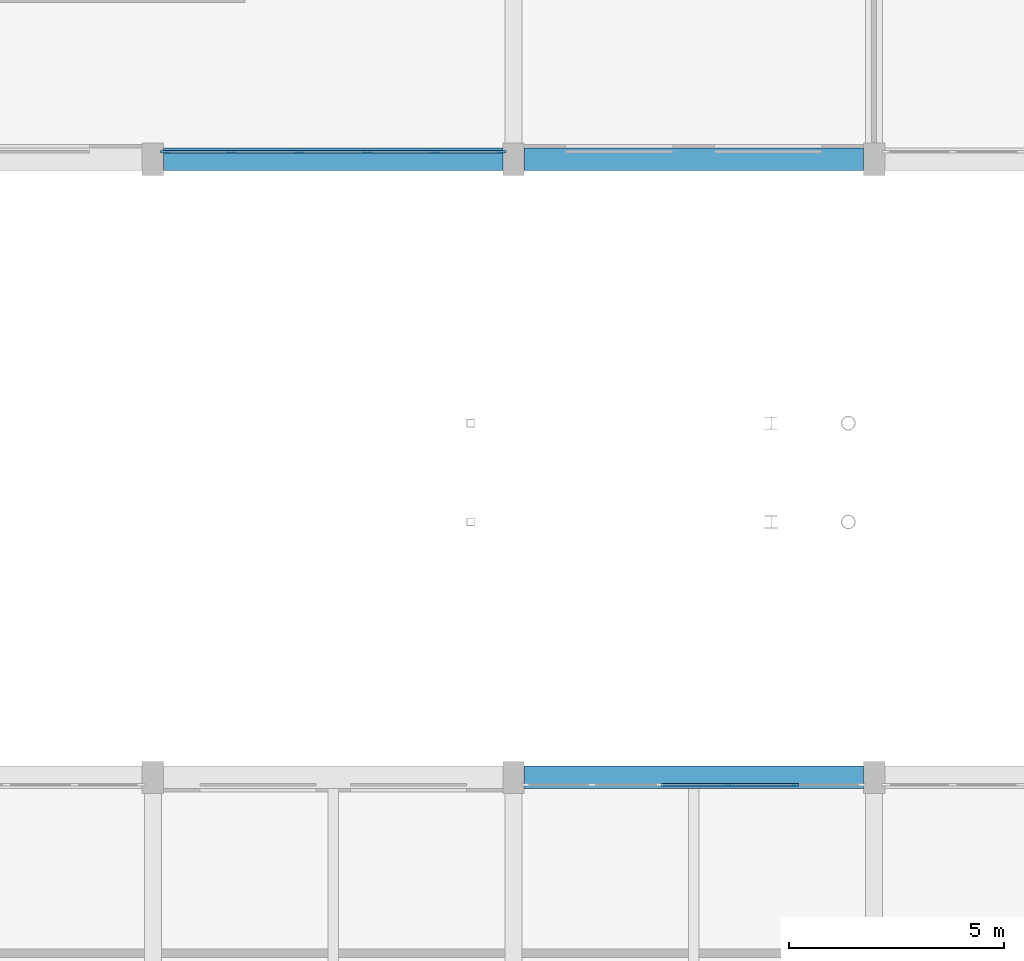
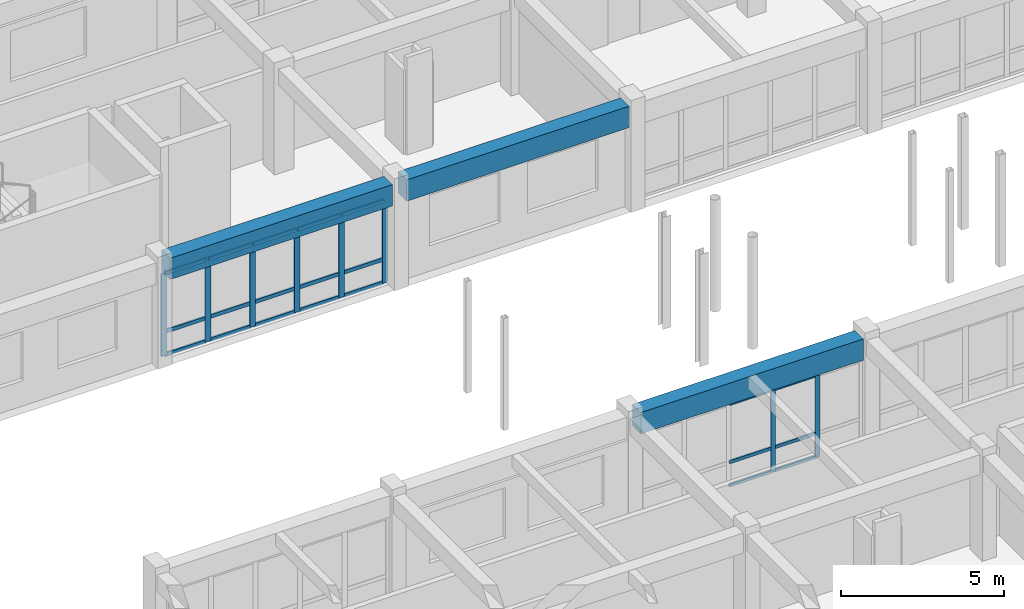
# One storey, part 54 of 147: 29 members, 3 beams, 2 elements without a shape of their own.
"""IFC4 building model written with IfcOpenShell, lengths in metres."""

from ifc_helpers import new_model, si_unit, direction, frame, origin, origin_2d, place, context, subcontext, project, spatial, rectangle, extrude, material, material_profile, profile_set, type_object, element, aggregate, save


model = new_model("IFC4")

# Units and contexts
model_context = context("Model", 3, precision=1e-05, world=origin(), true_north=direction((0.0, 1.0)))
body_context = subcontext(model_context, "Body", "Model", "MODEL_VIEW")
ifc_project = project(units=[si_unit("LENGTHUNIT", "METRE"), si_unit("AREAUNIT", "SQUARE_METRE"), si_unit("VOLUMEUNIT", "CUBIC_METRE"), si_unit("PLANEANGLEUNIT", "RADIAN"), si_unit("MASSUNIT", "GRAM", prefix="KILO")], contexts=[model_context])

# Site, building, storey
site_placement = place(None, origin())
site = spatial("IfcSite", under=ifc_project, at=site_placement, CompositionType="ELEMENT")
building_placement = place(site_placement, origin())
building = spatial("IfcBuilding", under=site, at=building_placement, Name="Malvenik Polytechnic", CompositionType="ELEMENT")
storey_placement = place(building_placement, frame((0.0, 0.0, 5.10009765625)))
storey = spatial("IfcBuildingStorey", under=building, at=storey_placement, Name="L01", CompositionType="ELEMENT", Elevation=5.10009765625)

# Curtain wall, members
ifc_material_1 = material(Name="Anodised aluminium 6060-T6", Category="aluminium")
curtain_wall_type = type_object("IfcCurtainWallType", Name="ARC-CW-CW-02", PredefinedType="NOTDEFINED", material=ifc_material_1)
curtain_wall_1_placement = place(storey_placement, origin())
curtain_wall_1 = element("IfcCurtainWall", 1, at=curtain_wall_1_placement, inside=storey, type_object=curtain_wall_type, Name="Unitised Curtain Wall CW-02 L01 #125", PredefinedType="NOTDEFINED")
ifc_material_2 = material(Name="Anodised aluminium", Category="aluminium")
ifc_material_profile_1 = material_profile(ifc_material_2, rectangle(XDim=0.06005859375, YDim=0.159912109375, at=origin_2d()), Name="ALU MULLION 60x160")
ifc_profile_set_1 = profile_set([ifc_material_profile_1], Name="Anodised aluminium")
member_type_1 = type_object("IfcMemberType", Name="ARC-CWM-160", PredefinedType="MULLION", material=ifc_profile_set_1)
member_1_placement = place(storey_placement, frame((30.1904296875, 64.6298828125, 0.0), z_axis=(0.0, 0.0, 1.0), x_axis=(0.0, 1.0, 0.0)))
member_1 = element("IfcMember", 2, at=member_1_placement, type_object=member_type_1, Name="CW-02 mullion 4", PredefinedType="MULLION", context=body_context, shape_type="SweptSolid", body=[
    extrude(rectangle(XDim=0.06005859375, YDim=0.159912109375, at=origin_2d()), origin(), (0.0, 0.0, 1.0), 3.10986328125),
])
member_2_placement = place(storey_placement, frame((31.771240234375, 64.6298828125, 0.0), z_axis=(0.0, 0.0, 1.0), x_axis=(0.0, 1.0, 0.0)))
member_2 = element("IfcMember", 3, at=member_2_placement, type_object=member_type_1, Name="CW-02 mullion 5", PredefinedType="MULLION", context=body_context, shape_type="SweptSolid", body=[
    extrude(rectangle(XDim=0.06005859375, YDim=0.159912109375, at=origin_2d()), origin(), (0.0, 0.0, 1.0), 3.10986328125),
])

curtain_wall_2_placement = place(storey_placement, origin())
curtain_wall_2 = element("IfcCurtainWall", 4, at=curtain_wall_2_placement, inside=storey, type_object=curtain_wall_type, Name="Unitised Curtain Wall CW-02 L01 #30", PredefinedType="NOTDEFINED")
ifc_material_profile_2 = material_profile(ifc_material_2, rectangle(XDim=0.06005859375, YDim=0.199951171875, at=origin_2d()), Name="ALU MULLION 60x200")
ifc_profile_set_2 = profile_set([ifc_material_profile_2], Name="Anodised aluminium")
member_type_2 = type_object("IfcMemberType", Name="ARC-CWM-200", PredefinedType="MULLION", material=ifc_profile_set_2)
member_3_placement = place(storey_placement, frame((24.922119140625, 79.3701171875, 0.0), z_axis=(0.0, 0.0, 1.0), x_axis=(0.0, -1.0, 0.0)))
member_3 = element("IfcMember", 5, at=member_3_placement, type_object=member_type_2, Name="CW-02 mullion 1", PredefinedType="MULLION", context=body_context, shape_type="SweptSolid", body=[
    extrude(rectangle(XDim=0.06005859375, YDim=0.199951171875, at=origin_2d()), origin(), (0.0, 0.0, 1.0), 3.10986328125),
])
member_4_placement = place(storey_placement, frame((23.37109375, 79.3701171875, 0.0), z_axis=(0.0, 0.0, 1.0), x_axis=(0.0, -1.0, 0.0)))
member_4 = element("IfcMember", 6, at=member_4_placement, type_object=member_type_2, Name="CW-02 mullion 2", PredefinedType="MULLION", context=body_context, shape_type="SweptSolid", body=[
    extrude(rectangle(XDim=0.06005859375, YDim=0.199951171875, at=origin_2d()), origin(), (0.0, 0.0, 1.0), 3.10986328125),
])
member_5_placement = place(storey_placement, frame((21.790283203125, 79.3701171875, 0.0), z_axis=(0.0, 0.0, 1.0), x_axis=(0.0, -1.0, 0.0)))
member_5 = element("IfcMember", 7, at=member_5_placement, type_object=member_type_2, Name="CW-02 mullion 3", PredefinedType="MULLION", context=body_context, shape_type="SweptSolid", body=[
    extrude(rectangle(XDim=0.06005859375, YDim=0.199951171875, at=origin_2d()), origin(), (0.0, 0.0, 1.0), 3.10986328125),
])
member_6_placement = place(storey_placement, frame((20.209716796875, 79.3701171875, 0.0), z_axis=(0.0, 0.0, 1.0), x_axis=(0.0, -1.0, 0.0)))
member_6 = element("IfcMember", 8, at=member_6_placement, type_object=member_type_2, Name="CW-02 mullion 4", PredefinedType="MULLION", context=body_context, shape_type="SweptSolid", body=[
    extrude(rectangle(XDim=0.06005859375, YDim=0.199951171875, at=origin_2d()), origin(), (0.0, 0.0, 1.0), 3.10986328125),
])
member_7_placement = place(storey_placement, frame((18.62890625, 79.3701171875, 0.0), z_axis=(0.0, 0.0, 1.0), x_axis=(0.0, -1.0, 0.0)))
member_7 = element("IfcMember", 9, at=member_7_placement, type_object=member_type_2, Name="CW-02 mullion 5", PredefinedType="MULLION", context=body_context, shape_type="SweptSolid", body=[
    extrude(rectangle(XDim=0.06005859375, YDim=0.199951171875, at=origin_2d()), origin(), (0.0, 0.0, 1.0), 3.10986328125),
])
member_8_placement = place(storey_placement, frame((17.077880859375, 79.3701171875, 0.0), z_axis=(0.0, 0.0, 1.0), x_axis=(0.0, -1.0, 0.0)))
member_8 = element("IfcMember", 10, at=member_8_placement, type_object=member_type_2, Name="CW-02 mullion 6", PredefinedType="MULLION", context=body_context, shape_type="SweptSolid", body=[
    extrude(rectangle(XDim=0.06005859375, YDim=0.199951171875, at=origin_2d()), origin(), (0.0, 0.0, 1.0), 3.10986328125),
])

# Member
ifc_material_profile_3 = material_profile(ifc_material_2, rectangle(XDim=0.06005859375, YDim=0.1201171875, at=origin_2d()), Name="ALU TRANSOM 60x120")
ifc_profile_set_3 = profile_set([ifc_material_profile_3], Name="Anodised aluminium")
member_type_3 = type_object("IfcMemberType", Name="ARC-CWT-120", PredefinedType="USERDEFINED", material=ifc_profile_set_3)
member_9_placement = place(storey_placement, frame((28.6396484375, 64.6298828125, 0.02978515625), z_axis=(1.0, 0.0, 0.0), x_axis=(0.0, 1.0, 0.0)))
member_9 = element("IfcMember", 11, at=member_9_placement, type_object=member_type_3, Name="CW-02 transom 3.1", ObjectType="TRANSOM", PredefinedType="USERDEFINED", context=body_context, shape_type="SweptSolid", body=[
    extrude(rectangle(XDim=0.06005859375, YDim=0.1201171875, at=origin_2d()), origin(), (0.0, 0.0, 1.0), 1.520751953125),
])

member_10_placement = place(storey_placement, frame((28.6396484375, 64.6298828125, 0.89990234375), z_axis=(1.0, 0.0, 0.0), x_axis=(0.0, 1.0, 0.0)))
member_10 = element("IfcMember", 12, at=member_10_placement, type_object=member_type_3, Name="CW-02 transom 3.2", ObjectType="TRANSOM", PredefinedType="USERDEFINED", context=body_context, shape_type="SweptSolid", body=[
    extrude(rectangle(XDim=0.06005859375, YDim=0.1201171875, at=origin_2d()), origin(), (0.0, 0.0, 1.0), 1.520751953125),
])

member_11_placement = place(storey_placement, frame((28.6396484375, 64.6298828125, 3.079833984375), z_axis=(1.0, 0.0, 0.0), x_axis=(0.0, 1.0, 0.0)))
member_11 = element("IfcMember", 13, at=member_11_placement, type_object=member_type_3, Name="CW-02 transom 3.3", ObjectType="TRANSOM", PredefinedType="USERDEFINED", context=body_context, shape_type="SweptSolid", body=[
    extrude(rectangle(XDim=0.06005859375, YDim=0.1201171875, at=origin_2d()), origin(), (0.0, 0.0, 1.0), 1.520751953125),
])

member_12_placement = place(storey_placement, frame((30.220458984375, 64.6298828125, 0.02978515625), z_axis=(1.0, 0.0, 0.0), x_axis=(0.0, 1.0, 0.0)))
member_12 = element("IfcMember", 14, at=member_12_placement, type_object=member_type_3, Name="CW-02 transom 4.1", ObjectType="TRANSOM", PredefinedType="USERDEFINED", context=body_context, shape_type="SweptSolid", body=[
    extrude(rectangle(XDim=0.06005859375, YDim=0.1201171875, at=origin_2d()), origin(), (0.0, 0.0, 1.0), 1.520751953125),
])

member_13_placement = place(storey_placement, frame((30.220458984375, 64.6298828125, 0.89990234375), z_axis=(1.0, 0.0, 0.0), x_axis=(0.0, 1.0, 0.0)))
member_13 = element("IfcMember", 15, at=member_13_placement, type_object=member_type_3, Name="CW-02 transom 4.2", ObjectType="TRANSOM", PredefinedType="USERDEFINED", context=body_context, shape_type="SweptSolid", body=[
    extrude(rectangle(XDim=0.06005859375, YDim=0.1201171875, at=origin_2d()), origin(), (0.0, 0.0, 1.0), 1.520751953125),
])

member_14_placement = place(storey_placement, frame((30.220458984375, 64.6298828125, 3.079833984375), z_axis=(1.0, 0.0, 0.0), x_axis=(0.0, 1.0, 0.0)))
member_14 = element("IfcMember", 16, at=member_14_placement, type_object=member_type_3, Name="CW-02 transom 4.3", ObjectType="TRANSOM", PredefinedType="USERDEFINED", context=body_context, shape_type="SweptSolid", body=[
    extrude(rectangle(XDim=0.06005859375, YDim=0.1201171875, at=origin_2d()), origin(), (0.0, 0.0, 1.0), 1.520751953125),
])

aggregate(curtain_wall_1, [member_1, member_2, member_9, member_10, member_11, member_12, member_13, member_14])

ifc_material_profile_4 = material_profile(ifc_material_2, rectangle(XDim=0.06005859375, YDim=0.139892578125, at=origin_2d()), Name="ALU TRANSOM 60x140")
ifc_profile_set_4 = profile_set([ifc_material_profile_4], Name="Anodised aluminium")
member_type_4 = type_object("IfcMemberType", Name="ARC-CWT-140", PredefinedType="USERDEFINED", material=ifc_profile_set_4)
member_15_placement = place(storey_placement, frame((24.89208984375, 79.3701171875, 0.02978515625), z_axis=(-1.0, 0.0, 0.0), x_axis=(0.0, -1.0, 0.0)))
member_15 = element("IfcMember", 17, at=member_15_placement, type_object=member_type_4, Name="CW-02 transom 1.1", ObjectType="TRANSOM", PredefinedType="USERDEFINED", context=body_context, shape_type="SweptSolid", body=[
    extrude(rectangle(XDim=0.06005859375, YDim=0.139892578125, at=origin_2d()), origin(), (0.0, 0.0, 1.0), 1.490966796875),
])

member_16_placement = place(storey_placement, frame((24.89208984375, 79.3701171875, 0.89990234375), z_axis=(-1.0, 0.0, 0.0), x_axis=(0.0, -1.0, 0.0)))
member_16 = element("IfcMember", 18, at=member_16_placement, type_object=member_type_4, Name="CW-02 transom 1.2", ObjectType="TRANSOM", PredefinedType="USERDEFINED", context=body_context, shape_type="SweptSolid", body=[
    extrude(rectangle(XDim=0.06005859375, YDim=0.139892578125, at=origin_2d()), origin(), (0.0, 0.0, 1.0), 1.490966796875),
])

member_17_placement = place(storey_placement, frame((24.89208984375, 79.3701171875, 3.079833984375), z_axis=(-1.0, 0.0, 0.0), x_axis=(0.0, -1.0, 0.0)))
member_17 = element("IfcMember", 19, at=member_17_placement, type_object=member_type_4, Name="CW-02 transom 1.3", ObjectType="TRANSOM", PredefinedType="USERDEFINED", context=body_context, shape_type="SweptSolid", body=[
    extrude(rectangle(XDim=0.06005859375, YDim=0.139892578125, at=origin_2d()), origin(), (0.0, 0.0, 1.0), 1.490966796875),
])

member_18_placement = place(storey_placement, frame((23.34130859375, 79.3701171875, 0.02978515625), z_axis=(-1.0, 0.0, 0.0), x_axis=(0.0, -1.0, 0.0)))
member_18 = element("IfcMember", 20, at=member_18_placement, type_object=member_type_4, Name="CW-02 transom 2.1", ObjectType="TRANSOM", PredefinedType="USERDEFINED", context=body_context, shape_type="SweptSolid", body=[
    extrude(rectangle(XDim=0.06005859375, YDim=0.139892578125, at=origin_2d()), origin(), (0.0, 0.0, 1.0), 1.52099609375),
])

member_19_placement = place(storey_placement, frame((23.34130859375, 79.3701171875, 0.89990234375), z_axis=(-1.0, 0.0, 0.0), x_axis=(0.0, -1.0, 0.0)))
member_19 = element("IfcMember", 21, at=member_19_placement, type_object=member_type_4, Name="CW-02 transom 2.2", ObjectType="TRANSOM", PredefinedType="USERDEFINED", context=body_context, shape_type="SweptSolid", body=[
    extrude(rectangle(XDim=0.06005859375, YDim=0.139892578125, at=origin_2d()), origin(), (0.0, 0.0, 1.0), 1.52099609375),
])

member_20_placement = place(storey_placement, frame((23.34130859375, 79.3701171875, 3.079833984375), z_axis=(-1.0, 0.0, 0.0), x_axis=(0.0, -1.0, 0.0)))
member_20 = element("IfcMember", 22, at=member_20_placement, type_object=member_type_4, Name="CW-02 transom 2.3", ObjectType="TRANSOM", PredefinedType="USERDEFINED", context=body_context, shape_type="SweptSolid", body=[
    extrude(rectangle(XDim=0.06005859375, YDim=0.139892578125, at=origin_2d()), origin(), (0.0, 0.0, 1.0), 1.52099609375),
])

member_21_placement = place(storey_placement, frame((21.760498046875, 79.3701171875, 0.02978515625), z_axis=(-1.0, 0.0, 0.0), x_axis=(0.0, -1.0, 0.0)))
member_21 = element("IfcMember", 23, at=member_21_placement, type_object=member_type_4, Name="CW-02 transom 3.1", ObjectType="TRANSOM", PredefinedType="USERDEFINED", context=body_context, shape_type="SweptSolid", body=[
    extrude(rectangle(XDim=0.06005859375, YDim=0.139892578125, at=origin_2d()), origin(), (0.0, 0.0, 1.0), 1.52099609375),
])

member_22_placement = place(storey_placement, frame((21.760498046875, 79.3701171875, 0.89990234375), z_axis=(-1.0, 0.0, 0.0), x_axis=(0.0, -1.0, 0.0)))
member_22 = element("IfcMember", 24, at=member_22_placement, type_object=member_type_4, Name="CW-02 transom 3.2", ObjectType="TRANSOM", PredefinedType="USERDEFINED", context=body_context, shape_type="SweptSolid", body=[
    extrude(rectangle(XDim=0.06005859375, YDim=0.139892578125, at=origin_2d()), origin(), (0.0, 0.0, 1.0), 1.52099609375),
])

member_23_placement = place(storey_placement, frame((21.760498046875, 79.3701171875, 3.079833984375), z_axis=(-1.0, 0.0, 0.0), x_axis=(0.0, -1.0, 0.0)))
member_23 = element("IfcMember", 25, at=member_23_placement, type_object=member_type_4, Name="CW-02 transom 3.3", ObjectType="TRANSOM", PredefinedType="USERDEFINED", context=body_context, shape_type="SweptSolid", body=[
    extrude(rectangle(XDim=0.06005859375, YDim=0.139892578125, at=origin_2d()), origin(), (0.0, 0.0, 1.0), 1.52099609375),
])

member_24_placement = place(storey_placement, frame((20.1796875, 79.3701171875, 0.02978515625), z_axis=(-1.0, 0.0, 0.0), x_axis=(0.0, -1.0, 0.0)))
member_24 = element("IfcMember", 26, at=member_24_placement, type_object=member_type_4, Name="CW-02 transom 4.1", ObjectType="TRANSOM", PredefinedType="USERDEFINED", context=body_context, shape_type="SweptSolid", body=[
    extrude(rectangle(XDim=0.06005859375, YDim=0.139892578125, at=origin_2d()), origin(), (0.0, 0.0, 1.0), 1.52099609375),
])

member_25_placement = place(storey_placement, frame((20.1796875, 79.3701171875, 0.89990234375), z_axis=(-1.0, 0.0, 0.0), x_axis=(0.0, -1.0, 0.0)))
member_25 = element("IfcMember", 27, at=member_25_placement, type_object=member_type_4, Name="CW-02 transom 4.2", ObjectType="TRANSOM", PredefinedType="USERDEFINED", context=body_context, shape_type="SweptSolid", body=[
    extrude(rectangle(XDim=0.06005859375, YDim=0.139892578125, at=origin_2d()), origin(), (0.0, 0.0, 1.0), 1.52099609375),
])

member_26_placement = place(storey_placement, frame((20.1796875, 79.3701171875, 3.079833984375), z_axis=(-1.0, 0.0, 0.0), x_axis=(0.0, -1.0, 0.0)))
member_26 = element("IfcMember", 28, at=member_26_placement, type_object=member_type_4, Name="CW-02 transom 4.3", ObjectType="TRANSOM", PredefinedType="USERDEFINED", context=body_context, shape_type="SweptSolid", body=[
    extrude(rectangle(XDim=0.06005859375, YDim=0.139892578125, at=origin_2d()), origin(), (0.0, 0.0, 1.0), 1.52099609375),
])

member_27_placement = place(storey_placement, frame((18.598876953125, 79.3701171875, 0.02978515625), z_axis=(-1.0, 0.0, 0.0), x_axis=(0.0, -1.0, 0.0)))
member_27 = element("IfcMember", 29, at=member_27_placement, type_object=member_type_4, Name="CW-02 transom 5.1", ObjectType="TRANSOM", PredefinedType="USERDEFINED", context=body_context, shape_type="SweptSolid", body=[
    extrude(rectangle(XDim=0.06005859375, YDim=0.139892578125, at=origin_2d()), origin(), (0.0, 0.0, 1.0), 1.490966796875),
])

member_28_placement = place(storey_placement, frame((18.598876953125, 79.3701171875, 0.89990234375), z_axis=(-1.0, 0.0, 0.0), x_axis=(0.0, -1.0, 0.0)))
member_28 = element("IfcMember", 30, at=member_28_placement, type_object=member_type_4, Name="CW-02 transom 5.2", ObjectType="TRANSOM", PredefinedType="USERDEFINED", context=body_context, shape_type="SweptSolid", body=[
    extrude(rectangle(XDim=0.06005859375, YDim=0.139892578125, at=origin_2d()), origin(), (0.0, 0.0, 1.0), 1.490966796875),
])

member_29_placement = place(storey_placement, frame((18.598876953125, 79.3701171875, 3.079833984375), z_axis=(-1.0, 0.0, 0.0), x_axis=(0.0, -1.0, 0.0)))
member_29 = element("IfcMember", 31, at=member_29_placement, type_object=member_type_4, Name="CW-02 transom 5.3", ObjectType="TRANSOM", PredefinedType="USERDEFINED", context=body_context, shape_type="SweptSolid", body=[
    extrude(rectangle(XDim=0.06005859375, YDim=0.139892578125, at=origin_2d()), origin(), (0.0, 0.0, 1.0), 1.490966796875),
])

aggregate(curtain_wall_2, [member_3, member_4, member_5, member_6, member_7, member_8, member_15, member_16, member_17, member_18, member_19, member_20, member_21, member_22, member_23, member_24, member_25, member_26, member_27, member_28, member_29])

# Beams
ifc_material_3 = material(Name="Precast concrete C40/50", Category="concrete")
ifc_material_profile_5 = material_profile(ifc_material_3, rectangle(XDim=0.52001953125, YDim=0.800048828125, at=origin_2d()), Name="PC SPN 520x800")
ifc_profile_set_5 = profile_set([ifc_material_profile_5], Name="Precast concrete C40/50")
beam_type = type_object("IfcBeamType", Name="STR-BM-SP-01", PredefinedType="SPANDREL", material=ifc_profile_set_5)
beam_1_placement = place(storey_placement, frame((25.447998046875, 64.800048828125, 3.52001953125), z_axis=(1.0, 0.0, 0.0), x_axis=(0.0, 1.0, 0.0)))
element("IfcBeam", 32, at=beam_1_placement, inside=storey, type_object=beam_type, Name="Primary Beam SP-01 L01 #1028", PredefinedType="SPANDREL", context=body_context, shape_type="SweptSolid", body=[
    extrude(rectangle(XDim=0.52001953125, YDim=0.800048828125, at=origin_2d()), origin(), (0.0, 0.0, 1.0), 7.904052734375),
])
beam_2_placement = place(storey_placement, frame((17.048095703125, 79.199951171875, 3.52001953125), z_axis=(1.0, 0.0, 0.0), x_axis=(0.0, 1.0, 0.0)))
element("IfcBeam", 33, at=beam_2_placement, inside=storey, type_object=beam_type, Name="Primary Beam SP-01 L01 #1043", PredefinedType="SPANDREL", context=body_context, shape_type="SweptSolid", body=[
    extrude(rectangle(XDim=0.52001953125, YDim=0.800048828125, at=origin_2d()), origin(), (0.0, 0.0, 1.0), 7.90380859375),
])
beam_3_placement = place(storey_placement, frame((25.447998046875, 79.199951171875, 3.52001953125), z_axis=(1.0, 0.0, 0.0), x_axis=(0.0, 1.0, 0.0)))
element("IfcBeam", 34, at=beam_3_placement, inside=storey, type_object=beam_type, Name="Primary Beam SP-01 L01 #1044", PredefinedType="SPANDREL", context=body_context, shape_type="SweptSolid", body=[
    extrude(rectangle(XDim=0.52001953125, YDim=0.800048828125, at=origin_2d()), origin(), (0.0, 0.0, 1.0), 7.904052734375),
])

save(model, "model.ifc")
